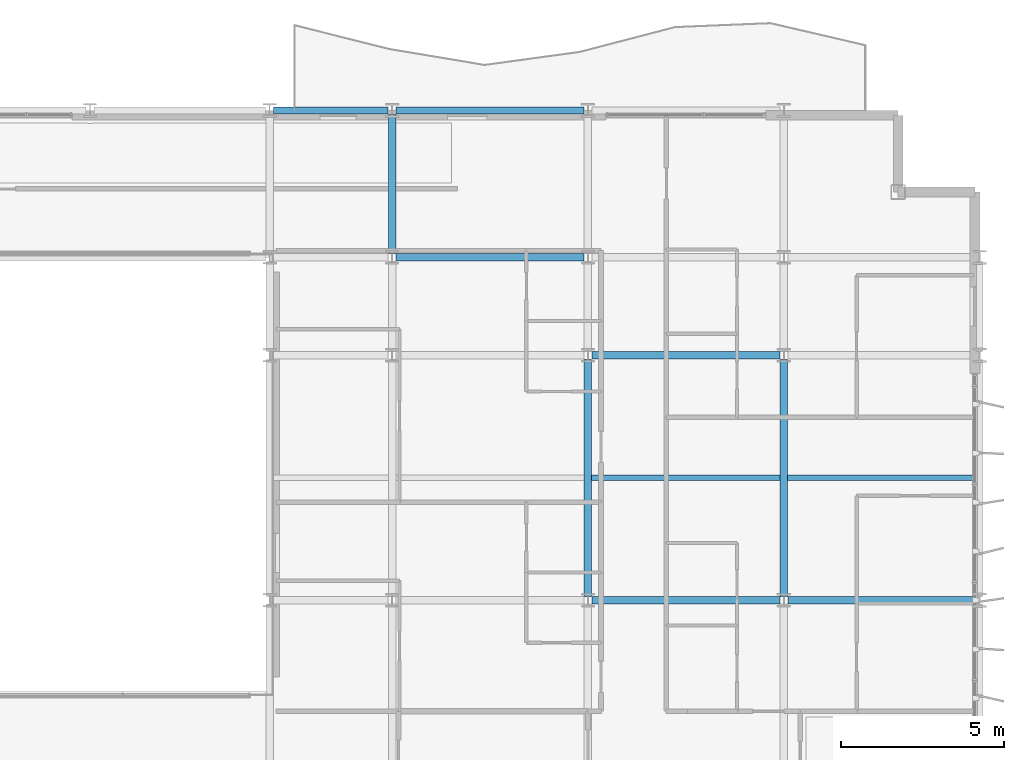
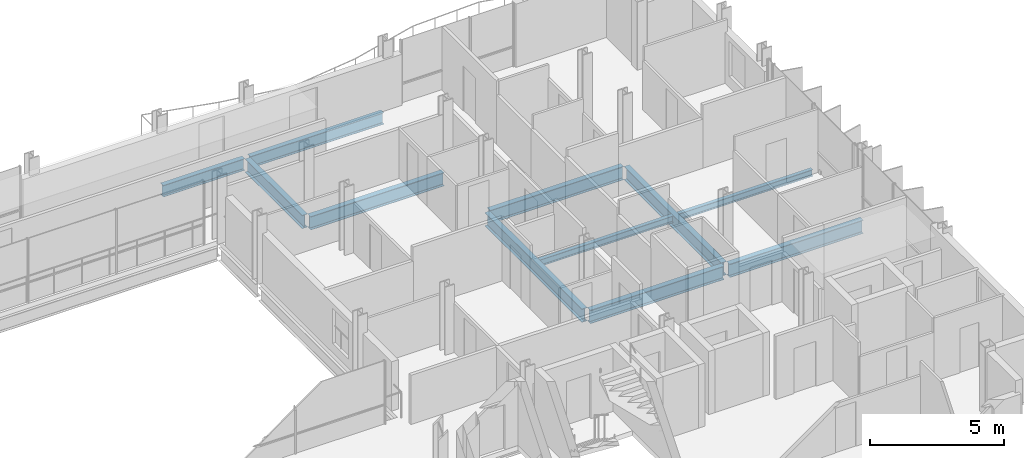
# One storey, part 18 of 38: 11 beams.
"""IFC4 building model written with IfcOpenShell, lengths in metres."""

from ifc_helpers import new_model, si_unit, direction, frame, origin, origin_2d, place, context, subcontext, project, spatial, i_section, extrude, material, material_profile, profile_set, type_object, element, save


model = new_model("IFC4")

# Units and contexts
model_context = context("Model", 3, precision=1e-05, world=origin(), true_north=direction((0.0, 1.0)))
body_context = subcontext(model_context, "Body", "Model", "MODEL_VIEW")
ifc_project = project(units=[si_unit("LENGTHUNIT", "METRE"), si_unit("AREAUNIT", "SQUARE_METRE"), si_unit("VOLUMEUNIT", "CUBIC_METRE"), si_unit("PLANEANGLEUNIT", "RADIAN"), si_unit("MASSUNIT", "GRAM", prefix="KILO")], contexts=[model_context])

# Site, building, storey
site_placement = place(None, origin())
site = spatial("IfcSite", under=ifc_project, at=site_placement, CompositionType="ELEMENT")
building_placement = place(site_placement, origin())
building = spatial("IfcBuilding", under=site, at=building_placement, Name="Brevholm Reach", CompositionType="ELEMENT")
storey_placement = place(building_placement, frame((0.0, 0.0, 128.300048828125)))
storey = spatial("IfcBuildingStorey", under=building, at=storey_placement, Name="L38", CompositionType="ELEMENT", Elevation=128.300048828125)

# Beams
ifc_material_1 = material(Name="Structural Steel S355J2", Category="steel")
ifc_material_profile_1 = material_profile(ifc_material_1, i_section(OverallWidth=0.1650390625, OverallDepth=0.303466796875, WebThickness=0.006103515625, FlangeThickness=0.01025390625, FilletRadius=0.0087890625, at=origin_2d()), Name="UKB 305x165x40")
ifc_profile_set_1 = profile_set([ifc_material_profile_1], Name="Structural Steel S355J2")
beam_type_1 = type_object("IfcBeamType", Name="BM-B305", PredefinedType="BEAM", material=ifc_profile_set_1)
beam_1_placement = place(storey_placement, frame((48.114501953125, 19.75, -0.371826171875), z_axis=(1.0, 0.0, 0.0), x_axis=(0.0, 1.0, 0.0)))
element("IfcBeam", 1, at=beam_1_placement, inside=storey, type_object=beam_type_1, Name="L38 Composite Secondary Floor Beam", PredefinedType="BEAM", context=body_context, shape_type="SweptSolid", body=[
    extrude(i_section(OverallWidth=0.1650390625, OverallDepth=0.303466796875, WebThickness=0.006103515625, FlangeThickness=0.01025390625, FilletRadius=0.0087890625, at=origin_2d()), origin(), (0.0, 0.0, 1.0), 5.77099609375),
])
beam_2_placement = place(storey_placement, frame((54.114501953125, 19.75, -0.371826171875), z_axis=(1.0, 0.0, 0.0), x_axis=(0.0, 1.0, 0.0)))
element("IfcBeam", 2, at=beam_2_placement, inside=storey, type_object=beam_type_1, Name="L38 Composite Secondary Floor Beam", PredefinedType="BEAM", context=body_context, shape_type="SweptSolid", body=[
    extrude(i_section(OverallWidth=0.1650390625, OverallDepth=0.303466796875, WebThickness=0.006103515625, FlangeThickness=0.01025390625, FilletRadius=0.0087890625, at=origin_2d()), origin(), (0.0, 0.0, 1.0), 5.78076171875),
])
ifc_material_2 = material(Name="Structural Steel S355J2", Category="steel")
ifc_material_profile_2 = material_profile(ifc_material_2, i_section(OverallWidth=0.209228515625, OverallDepth=0.533203125, WebThickness=0.010009765625, FlangeThickness=0.015625, FilletRadius=0.0126953125, at=origin_2d()), Name="UKB 533x210x92")
ifc_profile_set_2 = profile_set([ifc_material_profile_2], Name="Structural Steel S355J2")
beam_type_2 = type_object("IfcBeamType", Name="BM-SP533", PredefinedType="SPANDREL", material=ifc_profile_set_2)
beam_3_placement = place(storey_placement, frame((38.3701171875, 31.0, -0.486572265625), z_axis=(1.0, 0.0, 0.0), x_axis=(0.0, 1.0, 0.0)))
element("IfcBeam", 3, at=beam_3_placement, inside=storey, type_object=beam_type_2, Name="L38 SP-02 Framing Beam", PredefinedType="SPANDREL", context=body_context, shape_type="SweptSolid", body=[
    extrude(i_section(OverallWidth=0.209228515625, OverallDepth=0.533203125, WebThickness=0.010009765625, FlangeThickness=0.015625, FilletRadius=0.0126953125, at=origin_2d()), origin(), (0.0, 0.0, 1.0), 3.509765625),
])
beam_4_placement = place(storey_placement, frame((42.1201171875, 31.0, -0.486572265625), z_axis=(1.0, 0.0, 0.0), x_axis=(0.0, 1.0, 0.0)))
element("IfcBeam", 4, at=beam_4_placement, inside=storey, type_object=beam_type_2, Name="L38 SP-02 Framing Beam", PredefinedType="SPANDREL", context=body_context, shape_type="SweptSolid", body=[
    extrude(i_section(OverallWidth=0.209228515625, OverallDepth=0.533203125, WebThickness=0.010009765625, FlangeThickness=0.015625, FilletRadius=0.0126953125, at=origin_2d()), origin(), (0.0, 0.0, 1.0), 5.759765625),
])
ifc_material_3 = material(Name="Structural Steel S355J2", Category="steel")
ifc_material_profile_3 = material_profile(ifc_material_3, i_section(OverallWidth=0.22900390625, OverallDepth=0.6123046875, WebThickness=0.011962890625, FlangeThickness=0.01953125, FilletRadius=0.0126953125, at=origin_2d()), Name="UKB 610x229x125")
ifc_profile_set_3 = profile_set([ifc_material_profile_3], Name="Structural Steel S355J2")
beam_type_3 = type_object("IfcBeamType", Name="BM-SP610", PredefinedType="SPANDREL", material=ifc_profile_set_3)
for number, where, z_axis, x_axis, name in (
    (5, (48.1201171875, 16.0, -0.526123046875), (1.0, 0.0, 0.0), (0.0, 1.0, 0.0), "L38 SP-01 Framing Beam"),
    (6, (54.1201171875, 16.0, -0.526123046875), (1.0, 0.0, 0.0), (0.0, 1.0, 0.0), "L38 SP-01 Framing Beam"),
    (7, (48.1201171875, 23.5, -0.526123046875), (1.0, 0.0, 0.0), (0.0, 1.0, 0.0), "L38 SP-01 Framing Beam"),
    (8, (42.1201171875, 26.5, -0.526123046875), (1.0, 0.0, 0.0), (0.0, 1.0, 0.0), "L38 SP-01 Framing Beam"),
):
    element("IfcBeam", number, at=place(storey_placement, frame(where, z_axis=z_axis, x_axis=x_axis)), inside=storey, type_object=beam_type_3, Name=name, PredefinedType="SPANDREL", context=body_context, shape_type="SweptSolid", body=[
        extrude(i_section(OverallWidth=0.22900390625, OverallDepth=0.6123046875, WebThickness=0.011962890625, FlangeThickness=0.01953125, FilletRadius=0.0126953125, at=origin_2d()), origin(), (0.0, 0.0, 1.0), 5.759765625),
    ])
beam_5_placement = place(storey_placement, frame((42.0, 26.6201171875, -0.526123046875), z_axis=(0.0, 1.0, 0.0), x_axis=(-1.0, 0.0, 0.0)))
element("IfcBeam", 9, at=beam_5_placement, inside=storey, type_object=beam_type_3, Name="L38 SP-01 Framing Beam", PredefinedType="SPANDREL", context=body_context, shape_type="SweptSolid", body=[
    extrude(i_section(OverallWidth=0.22900390625, OverallDepth=0.6123046875, WebThickness=0.011962890625, FlangeThickness=0.01953125, FilletRadius=0.0126953125, at=origin_2d()), origin(), (0.0, 0.0, 1.0), 4.259765625),
])
for number, where, z_axis, x_axis, name in (
    (10, (48.0, 16.1201171875, -0.526123046875), (0.0, 1.0, 0.0), (-1.0, 0.0, 0.0), "L38 SP-01 Framing Beam"),
    (11, (54.0, 16.1201171875, -0.526123046875), (0.0, 1.0, 0.0), (-1.0, 0.0, 0.0), "L38 SP-01 Framing Beam"),
):
    element("IfcBeam", number, at=place(storey_placement, frame(where, z_axis=z_axis, x_axis=x_axis)), inside=storey, type_object=beam_type_3, Name=name, PredefinedType="SPANDREL", context=body_context, shape_type="SweptSolid", body=[
        extrude(i_section(OverallWidth=0.22900390625, OverallDepth=0.6123046875, WebThickness=0.011962890625, FlangeThickness=0.01953125, FilletRadius=0.0126953125, at=origin_2d()), origin(), (0.0, 0.0, 1.0), 7.259765625),
    ])

save(model, "model.ifc")
